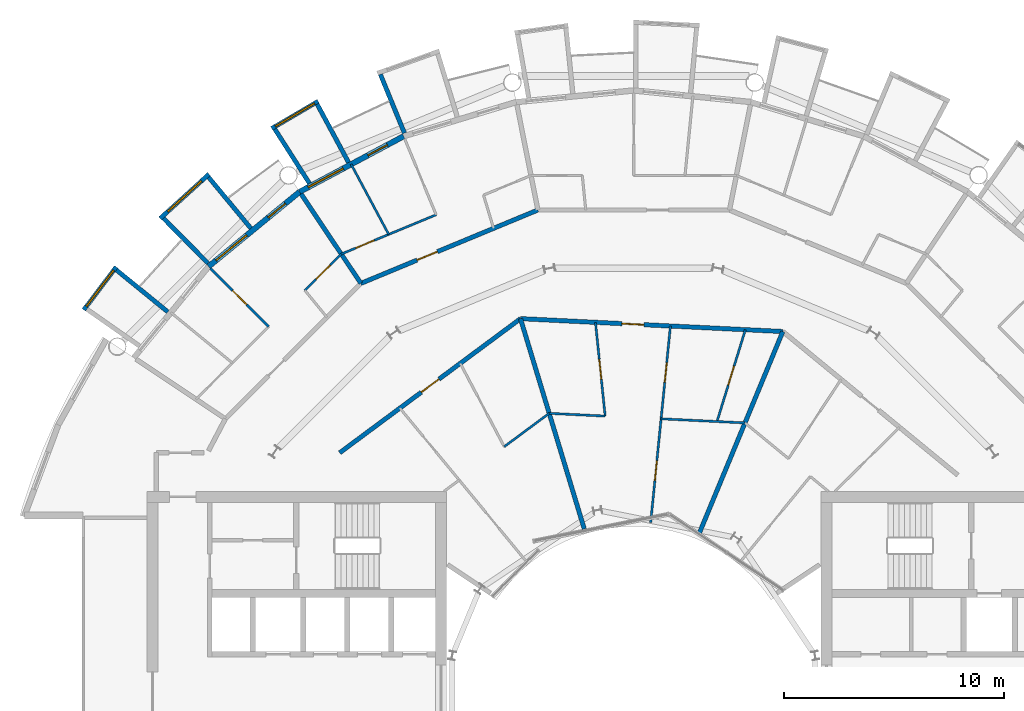
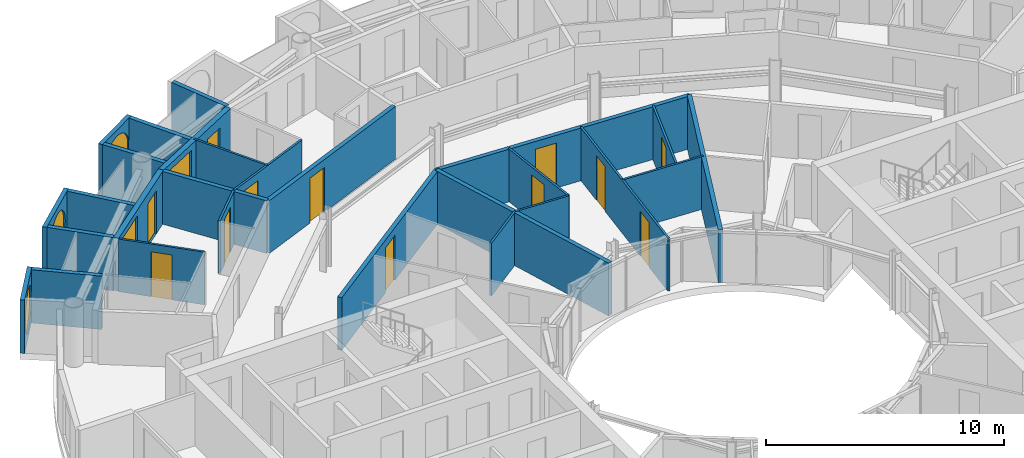
# One storey, part 20 of 27: 27 walls, 12 doors, 5 windows, 17 openings.
"""IFC4 building model written with IfcOpenShell, lengths in metres."""

from ifc_helpers import new_model, si_unit, direction, frame, frame_2d, origin, place, context, subcontext, project, spatial, rectangle, circle, extrude, material, layer, layer_set, type_object, element, fill, save


model = new_model("IFC4")

# Units and contexts
model_context = context("Model", 3, precision=1e-05, world=origin(), true_north=direction((0.0, 1.0)))
body_context = subcontext(model_context, "Body", "Model", "MODEL_VIEW")
ifc_project = project(units=[si_unit("LENGTHUNIT", "METRE"), si_unit("AREAUNIT", "SQUARE_METRE"), si_unit("VOLUMEUNIT", "CUBIC_METRE"), si_unit("PLANEANGLEUNIT", "RADIAN"), si_unit("MASSUNIT", "GRAM", prefix="KILO")], contexts=[model_context])

# Site, building, storey
site_placement = place(None, origin())
site = spatial("IfcSite", under=ifc_project, at=site_placement, CompositionType="ELEMENT")
building_placement = place(site_placement, origin())
building = spatial("IfcBuilding", under=site, at=building_placement, Name="Maasbend Ring Residences", CompositionType="ELEMENT")
storey_placement = place(building_placement, frame((0.0, 0.0, 170.75)))
storey = spatial("IfcBuildingStorey", under=building, at=storey_placement, Name="L49", CompositionType="ELEMENT", Elevation=170.75)

# Wall, opening, door
ifc_material_1 = material(Name="Concrete C30/37", Category="concrete")
ifc_layer_1 = layer(ifc_material_1, 0.199951171875)
ifc_layer_set_1 = layer_set([ifc_layer_1], Name="Concrete C30/37")
wall_type_1 = type_object("IfcWallType", Name="CORRIDOR WALL 200 CONCRETE", PredefinedType="PARTITIONING", material=ifc_layer_set_1)
wall_1_placement = place(storey_placement, frame((-13.34912109375, 10.847900390625, 0.0), z_axis=(0.0, 0.0, 1.0), x_axis=(0.803229232922, 0.595670042371, 0.0)))
wall_1 = element("IfcWall", 1, at=wall_1_placement, inside=storey, type_object=wall_type_1, Name="U-L49-w104", PredefinedType="PARTITIONING", context=body_context, shape_type="SweptSolid", body=[
    extrude(rectangle(XDim=10.223876953125, YDim=0.199951171875, at=frame_2d((5.11181640625, 0.0))), origin(), (0.0, 0.0, 1.0), 2.699951171875),
])
opening_1_placement = place(wall_1_placement, frame((4.612060546875, 0.0, 0.0)))
opening_1 = element("IfcOpeningElement", 2, at=opening_1_placement, cuts=wall_1, Name="Opening D-4930", PredefinedType="OPENING", context=body_context, shape_type="SweptSolid", body=[
    extrude(rectangle(XDim=1.0, YDim=2.300048828125, at=frame_2d((0.5, 1.14990234375))), frame((0.0, 0.10986328125, 0.0), z_axis=(0.0, -1.0, 0.0), x_axis=(1.0, 0.0, 0.0)), (0.0, 0.0, 1.0), 0.219970703125),
])
ifc_material_2 = material(Name="Timber, fire-rated, painted", Category="wood")
door_type_1 = type_object("IfcDoorType", Name="FLAT ENTRANCE DOOR 1000 X 2300 FIRE-RATED", OperationType="NOTDEFINED", PredefinedType="DOOR", material=ifc_material_2)
door_1_placement = place(opening_1_placement, origin())
door_1 = element("IfcDoor", 3, at=door_1_placement, inside=storey, type_object=door_type_1, Name="D-4930", OperationType="SINGLE_SWING_LEFT", OverallHeight=2.300048828125, OverallWidth=1.0, PredefinedType="DOOR", context=body_context, shape_type="SweptSolid", body=[
    extrude(rectangle(XDim=1.0, YDim=2.300048828125, at=frame_2d((0.5, 1.14990234375))), frame((0.0, 0.02490234375, 0.0), z_axis=(0.0, -1.0, 0.0), x_axis=(1.0, 0.0, 0.0)), (0.0, 0.0, 1.0), 0.050048828125),
])
fill(opening_1, door_1)

wall_2_placement = place(storey_placement, frame((-5.136962890625, 16.93798828125, 0.0), z_axis=(0.0, 0.0, 1.0), x_axis=(0.99879704719, -0.04903527836, 0.0)))
wall_2 = element("IfcWall", 4, at=wall_2_placement, inside=storey, type_object=wall_type_1, Name="U-L49-w105", PredefinedType="PARTITIONING", context=body_context, shape_type="SweptSolid", body=[
    extrude(rectangle(XDim=11.929443359375, YDim=0.199951171875, at=frame_2d((5.96484375, 0.0))), origin(), (0.0, 0.0, 1.0), 2.699951171875),
])
opening_2_placement = place(wall_2_placement, frame((4.60791015625, 0.0, 0.0)))
opening_2 = element("IfcOpeningElement", 5, at=opening_2_placement, cuts=wall_2, Name="Opening D-4925", PredefinedType="OPENING", context=body_context, shape_type="SweptSolid", body=[
    extrude(rectangle(XDim=1.0, YDim=2.300048828125, at=frame_2d((0.5, 1.14990234375))), frame((0.0, 0.10986328125, 0.0), z_axis=(0.0, -1.0, 0.0), x_axis=(1.0, 0.0, 0.0)), (0.0, 0.0, 1.0), 0.219970703125),
])
door_2_placement = place(opening_2_placement, origin())
door_2 = element("IfcDoor", 6, at=door_2_placement, inside=storey, type_object=door_type_1, Name="D-4925", OperationType="SINGLE_SWING_LEFT", OverallHeight=2.300048828125, OverallWidth=1.0, PredefinedType="DOOR", context=body_context, shape_type="SweptSolid", body=[
    extrude(rectangle(XDim=1.0, YDim=2.300048828125, at=frame_2d((0.5, 1.14990234375))), frame((0.0, 0.02490234375, 0.0), z_axis=(0.0, -1.0, 0.0), x_axis=(1.0, 0.0, 0.0)), (0.0, 0.0, 1.0), 0.050048828125),
])
fill(opening_2, door_2)

wall_3_placement = place(storey_placement, frame((-12.39599609375, 18.535888671875, 0.0), z_axis=(0.0, 0.0, 1.0), x_axis=(0.923722518166, 0.383062278792, 0.0)))
wall_3 = element("IfcWall", 7, at=wall_3_placement, inside=storey, type_object=wall_type_1, Name="U-L49-w110", PredefinedType="PARTITIONING", context=body_context, shape_type="SweptSolid", body=[
    extrude(rectangle(XDim=8.709228515625, YDim=0.199951171875, at=frame_2d((4.3544921875, 0.0))), origin(), (0.0, 0.0, 1.0), 2.699951171875),
])
opening_3_placement = place(wall_3_placement, frame((2.77197265625, 0.0, 0.0)))
opening_3 = element("IfcOpeningElement", 8, at=opening_3_placement, cuts=wall_3, Name="Opening D-4913", PredefinedType="OPENING", context=body_context, shape_type="SweptSolid", body=[
    extrude(rectangle(XDim=1.0, YDim=2.300048828125, at=frame_2d((0.5, 1.14990234375))), frame((0.0, 0.10986328125, 0.0), z_axis=(0.0, -1.0, 0.0), x_axis=(1.0, 0.0, 0.0)), (0.0, 0.0, 1.0), 0.219970703125),
])
door_3_placement = place(opening_3_placement, origin())
door_3 = element("IfcDoor", 9, at=door_3_placement, inside=storey, type_object=door_type_1, Name="D-4913", OperationType="SINGLE_SWING_LEFT", OverallHeight=2.300048828125, OverallWidth=1.0, PredefinedType="DOOR", context=body_context, shape_type="SweptSolid", body=[
    extrude(rectangle(XDim=1.0, YDim=2.300048828125, at=frame_2d((0.5, 1.14990234375))), frame((0.0, 0.02490234375, 0.0), z_axis=(0.0, -1.0, 0.0), x_axis=(1.0, 0.0, 0.0)), (0.0, 0.0, 1.0), 0.050048828125),
])
fill(opening_3, door_3)

# Wall
ifc_material_3 = material(Name="Pale anodised aluminium panel", Category="aluminium")
ifc_layer_2 = layer(ifc_material_3, 0.199951171875)
ifc_layer_set_2 = layer_set([ifc_layer_2], Name="EW-BOX")
wall_type_2 = type_object("IfcWallType", Name="EW-BOX", PredefinedType="SOLIDWALL", material=ifc_layer_set_2)
wall_4_placement = place(storey_placement, frame((-10.408935546875, 25.364013671875, -0.030029296875), z_axis=(0.0, 0.0, 1.0), x_axis=(-0.379509886562, 0.925187681501, 0.0)))
element("IfcWall", 10, at=wall_4_placement, inside=storey, type_object=wall_type_2, Name="Box side wall N14 right", PredefinedType="SOLIDWALL", context=body_context, shape_type="SweptSolid", body=[
    extrude(rectangle(XDim=2.882568359375, YDim=0.199951171875, at=frame_2d((1.44140625, 0.0))), origin(), (0.0, 0.0, 1.0), 2.72998046875),
])

# Wall, opening, window
wall_5_placement = place(storey_placement, frame((-14.326904296875, 26.81201171875, -0.030029296875), z_axis=(0.0, 0.0, 1.0), x_axis=(-0.862403467503, -0.506221551535, 0.0)))
wall_5 = element("IfcWall", 11, at=wall_5_placement, inside=storey, type_object=wall_type_2, Name="Box front N16", PredefinedType="SOLIDWALL", context=body_context, shape_type="SweptSolid", body=[
    extrude(rectangle(XDim=2.445556640625, YDim=0.199951171875, at=frame_2d((1.22265625, 0.0))), origin(), (0.0, 0.0, 1.0), 2.72998046875),
])
opening_4_placement = place(wall_5_placement, frame((0.182861328125, 0.0, 0.330078125)))
opening_4 = element("IfcOpeningElement", 12, at=opening_4_placement, cuts=wall_5, Name="Opening W-RD", PredefinedType="OPENING", context=body_context, shape_type="SweptSolid", body=[
    extrude(circle(Radius=1.0400390625, at=frame_2d((1.0400390625, 1.0400390625))), frame((0.0, 0.10986328125, 0.0), z_axis=(0.0, -1.0, 0.0), x_axis=(1.0, 0.0, 0.0)), (0.0, 0.0, 1.0), 0.219970703125),
])
ifc_material_4 = material(Name="Aluminium and clear glass", Category="aluminium")
window_type_1 = type_object("IfcWindowType", Name="W-RD", PartitioningType="SINGLE_PANEL", PredefinedType="WINDOW", material=ifc_material_4)
window_1_placement = place(opening_4_placement, origin())
window_1 = element("IfcWindow", 13, at=window_1_placement, inside=storey, type_object=window_type_1, Name="Round window N16", OverallHeight=2.080078125, OverallWidth=2.080078125, PartitioningType="SINGLE_PANEL", PredefinedType="WINDOW", context=body_context, shape_type="SweptSolid", body=[
    extrude(circle(Radius=1.0400390625, at=frame_2d((1.0400390625, 1.0400390625))), frame((0.0, 0.030029296875, 0.0), z_axis=(0.0, -1.0, 0.0), x_axis=(1.0, 0.0, 0.0)), (0.0, 0.0, 1.0), 0.06005859375),
])
fill(opening_4, window_1)

# Walls
wall_6_placement = place(storey_placement, frame((-12.945068359375, 24.029052734375, -0.030029296875), z_axis=(0.0, 0.0, 1.0), x_axis=(-0.474424310775, 0.88029629861, 0.0)))
element("IfcWall", 14, at=wall_6_placement, inside=storey, type_object=wall_type_2, Name="Box side wall N16 left", PredefinedType="SOLIDWALL", context=body_context, shape_type="SweptSolid", body=[
    extrude(rectangle(XDim=3.005859375, YDim=0.199951171875, at=frame_2d((1.5029296875, 0.0))), origin(), (0.0, 0.0, 1.0), 2.72998046875),
])
wall_7_placement = place(storey_placement, frame((-14.721923828125, 23.0791015625, -0.030029296875), z_axis=(0.0, 0.0, 1.0), x_axis=(-0.537572179146, 0.843217737129, 0.0)))
element("IfcWall", 15, at=wall_7_placement, inside=storey, type_object=wall_type_2, Name="Box side wall N16 right", PredefinedType="SOLIDWALL", context=body_context, shape_type="SweptSolid", body=[
    extrude(rectangle(XDim=2.92431640625, YDim=0.199951171875, at=frame_2d((1.462158203125, 0.0))), origin(), (0.0, 0.0, 1.0), 2.72998046875),
])

# Wall, opening, window
wall_8_placement = place(storey_placement, frame((-19.281982421875, 23.5029296875, -0.030029296875), z_axis=(0.0, 0.0, 1.0), x_axis=(-0.740998365753, -0.671506829416, 0.0)))
wall_8 = element("IfcWall", 16, at=wall_8_placement, inside=storey, type_object=wall_type_2, Name="Box front N18", PredefinedType="SOLIDWALL", context=body_context, shape_type="SweptSolid", body=[
    extrude(rectangle(XDim=2.9931640625, YDim=0.199951171875, at=frame_2d((1.49658203125, 0.0))), origin(), (0.0, 0.0, 1.0), 2.72998046875),
])
opening_5_placement = place(wall_8_placement, frame((0.45654296875, 0.0, 0.330078125)))
opening_5 = element("IfcOpeningElement", 17, at=opening_5_placement, cuts=wall_8, Name="Opening W-RD", PredefinedType="OPENING", context=body_context, shape_type="SweptSolid", body=[
    extrude(circle(Radius=1.0400390625, at=frame_2d((1.0400390625, 1.0400390625))), frame((0.0, 0.10986328125, 0.0), z_axis=(0.0, -1.0, 0.0), x_axis=(1.0, 0.0, 0.0)), (0.0, 0.0, 1.0), 0.219970703125),
])
window_2_placement = place(opening_5_placement, origin())
window_2 = element("IfcWindow", 18, at=window_2_placement, inside=storey, type_object=window_type_1, Name="Round window N18", OverallHeight=2.080078125, OverallWidth=2.080078125, PartitioningType="SINGLE_PANEL", PredefinedType="WINDOW", context=body_context, shape_type="SweptSolid", body=[
    extrude(circle(Radius=1.0400390625, at=frame_2d((1.0400390625, 1.0400390625))), frame((0.0, 0.030029296875, 0.0), z_axis=(0.0, -1.0, 0.0), x_axis=(1.0, 0.0, 0.0)), (0.0, 0.0, 1.0), 0.06005859375),
])
fill(opening_5, window_2)

# Walls
wall_9_placement = place(storey_placement, frame((-17.384033203125, 21.041015625, -0.030029296875), z_axis=(0.0, 0.0, 1.0), x_axis=(-0.63709551667, 0.770784861449, 0.0)))
element("IfcWall", 19, at=wall_9_placement, inside=storey, type_object=wall_type_2, Name="Box side wall N18 left", PredefinedType="SOLIDWALL", context=body_context, shape_type="SweptSolid", body=[
    extrude(rectangle(XDim=3.005859375, YDim=0.199951171875, at=frame_2d((1.5029296875, 0.0))), origin(), (0.0, 0.0, 1.0), 2.72998046875),
])
wall_10_placement = place(storey_placement, frame((-19.322998046875, 19.449951171875, -0.030029296875), z_axis=(0.0, 0.0, 1.0), x_axis=(-0.704476739375, 0.709727076896, 0.0)))
element("IfcWall", 20, at=wall_10_placement, inside=storey, type_object=wall_type_2, Name="Box side wall N18 right", PredefinedType="SOLIDWALL", context=body_context, shape_type="SweptSolid", body=[
    extrude(rectangle(XDim=2.883056640625, YDim=0.199951171875, at=frame_2d((1.44140625, 0.0))), origin(), (0.0, 0.0, 1.0), 2.72998046875),
])

# Wall, opening, window
wall_11_placement = place(storey_placement, frame((-23.4970703125, 19.2890625, -0.030029296875), z_axis=(0.0, 0.0, 1.0), x_axis=(-0.602806268067, -0.797887588059, 0.0)))
wall_11 = element("IfcWall", 21, at=wall_11_placement, inside=storey, type_object=wall_type_2, Name="Box front N20", PredefinedType="SOLIDWALL", context=body_context, shape_type="SweptSolid", body=[
    extrude(rectangle(XDim=2.446533203125, YDim=0.199951171875, at=frame_2d((1.22314453125, 0.0))), origin(), (0.0, 0.0, 1.0), 2.72998046875),
])
opening_6_placement = place(wall_11_placement, frame((0.182861328125, 0.0, 0.330078125)))
opening_6 = element("IfcOpeningElement", 22, at=opening_6_placement, cuts=wall_11, Name="Opening W-RD", PredefinedType="OPENING", context=body_context, shape_type="SweptSolid", body=[
    extrude(circle(Radius=1.0400390625, at=frame_2d((1.0400390625, 1.0400390625))), frame((0.0, 0.10986328125, 0.0), z_axis=(0.0, -1.0, 0.0), x_axis=(1.0, 0.0, 0.0)), (0.0, 0.0, 1.0), 0.219970703125),
])
window_3_placement = place(opening_6_placement, origin())
window_3 = element("IfcWindow", 23, at=window_3_placement, inside=storey, type_object=window_type_1, Name="Round window N20", OverallHeight=2.080078125, OverallWidth=2.080078125, PartitioningType="SINGLE_PANEL", PredefinedType="WINDOW", context=body_context, shape_type="SweptSolid", body=[
    extrude(circle(Radius=1.0400390625, at=frame_2d((1.0400390625, 1.0400390625))), frame((0.0, 0.030029296875, 0.0), z_axis=(0.0, -1.0, 0.0), x_axis=(1.0, 0.0, 0.0)), (0.0, 0.0, 1.0), 0.06005859375),
])
fill(opening_6, window_3)

# Wall
wall_12_placement = place(storey_placement, frame((-21.155029296875, 17.24609375, -0.030029296875), z_axis=(0.0, 0.0, 1.0), x_axis=(-0.775179004516, 0.631741648902, 0.0)))
element("IfcWall", 24, at=wall_12_placement, inside=storey, type_object=wall_type_2, Name="Box side wall N20 left", PredefinedType="SOLIDWALL", context=body_context, shape_type="SweptSolid", body=[
    extrude(rectangle(XDim=3.005859375, YDim=0.199951171875, at=frame_2d((1.5029296875, 0.0))), origin(), (0.0, 0.0, 1.0), 2.72998046875),
])

# Wall, openings, door, window
ifc_material_5 = material(Name="Aluminium clad insulated panel", Category="aluminium")
ifc_layer_3 = layer(ifc_material_5, 0.25)
ifc_layer_set_3 = layer_set([ifc_layer_3], Name="EW-GL")
wall_type_3 = type_object("IfcWallType", Name="EW-GL", PredefinedType="SOLIDWALL", material=ifc_layer_set_3)
wall_13_placement = place(storey_placement, frame((-10.447021484375, 25.221923828125, 0.0), z_axis=(0.0, 0.0, 1.0), x_axis=(-0.881915646801, -0.471407246368, 0.0)))
wall_13 = element("IfcWall", 25, at=wall_13_placement, inside=storey, type_object=wall_type_3, Name="External wall N08", PredefinedType="SOLIDWALL", context=body_context, shape_type="SweptSolid", body=[
    extrude(rectangle(XDim=5.35205078125, YDim=0.25, at=frame_2d((2.676025390625, 0.0))), origin(), (0.0, 0.0, 1.0), 2.699951171875),
])
opening_7_placement = place(wall_13_placement, frame((0.841064453125, 0.0, 0.0)))
opening_7 = element("IfcOpeningElement", 26, at=opening_7_placement, cuts=wall_13, Name="Opening D-LG", PredefinedType="OPENING", context=body_context, shape_type="SweptSolid", body=[
    extrude(rectangle(XDim=1.0, YDim=2.199951171875, at=frame_2d((0.5, 1.10009765625))), frame((0.0, 0.135009765625, 0.0), z_axis=(0.0, -1.0, 0.0), x_axis=(1.0, 0.0, 0.0)), (0.0, 0.0, 1.0), 0.27001953125),
])
opening_8_placement = place(wall_13_placement, frame((3.110595703125, 0.0, 0.300048828125)))
opening_8 = element("IfcOpeningElement", 27, at=opening_8_placement, cuts=wall_13, Name="Opening W-BX", PredefinedType="OPENING", context=body_context, shape_type="SweptSolid", body=[
    extrude(rectangle(XDim=1.800048828125, YDim=2.10009765625, at=frame_2d((0.89990234375, 1.050048828125))), frame((0.0, 0.135009765625, 0.0), z_axis=(0.0, -1.0, 0.0), x_axis=(1.0, 0.0, 0.0)), (0.0, 0.0, 1.0), 0.27001953125),
])
ifc_material_6 = material(Name="Aluminium and clear glass", Category="aluminium")
door_type_2 = type_object("IfcDoorType", Name="D-LG", OperationType="SINGLE_SWING_LEFT", PredefinedType="DOOR", material=ifc_material_6)
door_4_placement = place(opening_7_placement, origin())
door_4 = element("IfcDoor", 28, at=door_4_placement, inside=storey, type_object=door_type_2, Name="Loggia door N15", OperationType="SINGLE_SWING_LEFT", OverallHeight=2.199951171875, OverallWidth=1.0, PredefinedType="DOOR", context=body_context, shape_type="SweptSolid", body=[
    extrude(rectangle(XDim=1.0, YDim=2.199951171875, at=frame_2d((0.5, 1.10009765625))), frame((0.0, 0.02490234375, 0.0), z_axis=(0.0, -1.0, 0.0), x_axis=(1.0, 0.0, 0.0)), (0.0, 0.0, 1.0), 0.050048828125),
])
fill(opening_7, door_4)
ifc_material_7 = material(Name="Aluminium and clear glass", Category="aluminium")
window_type_2 = type_object("IfcWindowType", Name="W-BX", PartitioningType="DOUBLE_PANEL_VERTICAL", PredefinedType="WINDOW", material=ifc_material_7)
window_4_placement = place(opening_8_placement, origin())
window_4 = element("IfcWindow", 29, at=window_4_placement, inside=storey, type_object=window_type_2, Name="Window N16 room to box", OverallHeight=2.10009765625, OverallWidth=1.800048828125, PartitioningType="SINGLE_PANEL", PredefinedType="WINDOW", context=body_context, shape_type="SweptSolid", body=[
    extrude(rectangle(XDim=1.800048828125, YDim=2.10009765625, at=frame_2d((0.89990234375, 1.050048828125))), frame((0.0, 0.030029296875, 0.0), z_axis=(0.0, -1.0, 0.0), x_axis=(1.0, 0.0, 0.0)), (0.0, 0.0, 1.0), 0.06005859375),
])
fill(opening_8, window_4)

wall_14_placement = place(storey_placement, frame((-15.1669921875, 22.698974609375, 0.0), z_axis=(0.0, 0.0, 1.0), x_axis=(-0.773019449054, -0.634382322723, 0.0)))
wall_14 = element("IfcWall", 30, at=wall_14_placement, inside=storey, type_object=wall_type_3, Name="External wall N09", PredefinedType="SOLIDWALL", context=body_context, shape_type="SweptSolid", body=[
    extrude(rectangle(XDim=5.351806640625, YDim=0.25, at=frame_2d((2.67578125, 0.0))), origin(), (0.0, 0.0, 1.0), 2.699951171875),
])
opening_9_placement = place(wall_14_placement, frame((0.841064453125, 0.0, 0.0)))
opening_9 = element("IfcOpeningElement", 31, at=opening_9_placement, cuts=wall_14, Name="Opening D-LG", PredefinedType="OPENING", context=body_context, shape_type="SweptSolid", body=[
    extrude(rectangle(XDim=1.0, YDim=2.199951171875, at=frame_2d((0.5, 1.10009765625))), frame((0.0, 0.135009765625, 0.0), z_axis=(0.0, -1.0, 0.0), x_axis=(1.0, 0.0, 0.0)), (0.0, 0.0, 1.0), 0.27001953125),
])
opening_10_placement = place(wall_14_placement, frame((3.110595703125, 0.0, 0.300048828125)))
opening_10 = element("IfcOpeningElement", 32, at=opening_10_placement, cuts=wall_14, Name="Opening W-BX", PredefinedType="OPENING", context=body_context, shape_type="SweptSolid", body=[
    extrude(rectangle(XDim=1.800048828125, YDim=2.10009765625, at=frame_2d((0.89990234375, 1.050048828125))), frame((0.0, 0.135009765625, 0.0), z_axis=(0.0, -1.0, 0.0), x_axis=(1.0, 0.0, 0.0)), (0.0, 0.0, 1.0), 0.27001953125),
])
door_5_placement = place(opening_9_placement, origin())
door_5 = element("IfcDoor", 33, at=door_5_placement, inside=storey, type_object=door_type_2, Name="Loggia door N17", OperationType="SINGLE_SWING_LEFT", OverallHeight=2.199951171875, OverallWidth=1.0, PredefinedType="DOOR", context=body_context, shape_type="SweptSolid", body=[
    extrude(rectangle(XDim=1.0, YDim=2.199951171875, at=frame_2d((0.5, 1.10009765625))), frame((0.0, 0.02490234375, 0.0), z_axis=(0.0, -1.0, 0.0), x_axis=(1.0, 0.0, 0.0)), (0.0, 0.0, 1.0), 0.050048828125),
])
fill(opening_9, door_5)
window_5_placement = place(opening_10_placement, origin())
window_5 = element("IfcWindow", 34, at=window_5_placement, inside=storey, type_object=window_type_2, Name="Window N18 room to box", OverallHeight=2.10009765625, OverallWidth=1.800048828125, PartitioningType="SINGLE_PANEL", PredefinedType="WINDOW", context=body_context, shape_type="SweptSolid", body=[
    extrude(rectangle(XDim=1.800048828125, YDim=2.10009765625, at=frame_2d((0.89990234375, 1.050048828125))), frame((0.0, 0.030029296875, 0.0), z_axis=(0.0, -1.0, 0.0), x_axis=(1.0, 0.0, 0.0)), (0.0, 0.0, 1.0), 0.06005859375),
])
fill(opening_10, window_5)

# Wall, opening, door
ifc_material_8 = material(Name="Gypsum board on steel studs", Category="steel")
ifc_layer_4 = layer(ifc_material_8, 0.10009765625)
ifc_layer_set_4 = layer_set([ifc_layer_4], Name="PARTITION 100 GYPSUM")
wall_type_4 = type_object("IfcWallType", Name="PARTITION 100 GYPSUM", PredefinedType="PARTITIONING", material=ifc_layer_set_4)
wall_15_placement = place(storey_placement, frame((-19.216064453125, 19.216064453125, 0.0), z_axis=(0.0, 0.0, 1.0), x_axis=(0.707106781187, -0.707106781187, 0.0)))
wall_15 = element("IfcWall", 35, at=wall_15_placement, inside=storey, type_object=wall_type_4, Name="U-L49-w039", PredefinedType="PARTITIONING", context=body_context, shape_type="SweptSolid", body=[
    extrude(rectangle(XDim=3.735107421875, YDim=0.10009765625, at=frame_2d((1.86767578125, 0.0))), origin(), (0.0, 0.0, 1.0), 2.699951171875),
])
opening_11_placement = place(wall_15_placement, frame((1.4169921875, 0.0, 0.0)))
opening_11 = element("IfcOpeningElement", 36, at=opening_11_placement, cuts=wall_15, Name="Opening D-4919", PredefinedType="OPENING", context=body_context, shape_type="SweptSolid", body=[
    extrude(rectangle(XDim=0.89990234375, YDim=2.300048828125, at=frame_2d((0.449951171875, 1.14990234375))), frame((0.0, 0.06005859375, 0.0), z_axis=(0.0, -1.0, 0.0), x_axis=(1.0, 0.0, 0.0)), (0.0, 0.0, 1.0), 0.1201171875),
])
ifc_material_9 = material(Name="Timber, painted", Category="wood")
door_type_3 = type_object("IfcDoorType", Name="INTERNAL DOOR 900 X 2300", OperationType="NOTDEFINED", PredefinedType="DOOR", material=ifc_material_9)
door_6_placement = place(opening_11_placement, origin())
door_6 = element("IfcDoor", 37, at=door_6_placement, inside=storey, type_object=door_type_3, Name="D-4919", OperationType="SINGLE_SWING_LEFT", OverallHeight=2.300048828125, OverallWidth=0.89990234375, PredefinedType="DOOR", context=body_context, shape_type="SweptSolid", body=[
    extrude(rectangle(XDim=0.89990234375, YDim=2.300048828125, at=frame_2d((0.449951171875, 1.14990234375))), frame((0.0, 0.02490234375, 0.0), z_axis=(0.0, -1.0, 0.0), x_axis=(1.0, 0.0, 0.0)), (0.0, 0.0, 1.0), 0.050048828125),
])
fill(opening_11, door_6)

# Wall
wall_16_placement = place(storey_placement, frame((-12.8330078125, 23.9541015625, 0.0), z_axis=(0.0, 0.0, 1.0), x_axis=(0.472212052488, -0.881484984265, 0.0)))
element("IfcWall", 38, at=wall_16_placement, inside=storey, type_object=wall_type_4, Name="U-L49-w046", PredefinedType="PARTITIONING", context=body_context, shape_type="SweptSolid", body=[
    extrude(rectangle(XDim=3.619140625, YDim=0.10009765625, at=frame_2d((1.8095703125, 0.0))), origin(), (0.0, 0.0, 1.0), 2.699951171875),
])

# Wall, opening, door
wall_17_placement = place(storey_placement, frame((-1.735107421875, 16.77099609375, 0.0), z_axis=(0.0, 0.0, 1.0), x_axis=(0.102875790791, -0.994694210131, 0.0)))
wall_17 = element("IfcWall", 39, at=wall_17_placement, inside=storey, type_object=wall_type_4, Name="U-L49-w061", PredefinedType="PARTITIONING", context=body_context, shape_type="SweptSolid", body=[
    extrude(rectangle(XDim=4.27880859375, YDim=0.10009765625, at=frame_2d((2.139404296875, 0.0))), origin(), (0.0, 0.0, 1.0), 2.699951171875),
])
opening_12_placement = place(wall_17_placement, frame((1.68896484375, 0.0, 0.0)))
opening_12 = element("IfcOpeningElement", 40, at=opening_12_placement, cuts=wall_17, Name="Opening D-4926", PredefinedType="OPENING", context=body_context, shape_type="SweptSolid", body=[
    extrude(rectangle(XDim=0.89990234375, YDim=2.300048828125, at=frame_2d((0.449951171875, 1.14990234375))), frame((0.0, 0.06005859375, 0.0), z_axis=(0.0, -1.0, 0.0), x_axis=(1.0, 0.0, 0.0)), (0.0, 0.0, 1.0), 0.1201171875),
])
door_7_placement = place(opening_12_placement, origin())
door_7 = element("IfcDoor", 41, at=door_7_placement, inside=storey, type_object=door_type_3, Name="D-4926", OperationType="SINGLE_SWING_LEFT", OverallHeight=2.300048828125, OverallWidth=0.89990234375, PredefinedType="DOOR", context=body_context, shape_type="SweptSolid", body=[
    extrude(rectangle(XDim=0.89990234375, YDim=2.300048828125, at=frame_2d((0.449951171875, 1.14990234375))), frame((0.0, 0.02490234375, 0.0), z_axis=(0.0, -1.0, 0.0), x_axis=(1.0, 0.0, 0.0)), (0.0, 0.0, 1.0), 0.050048828125),
])
fill(opening_12, door_7)

# Wall, openings, doors
wall_18_placement = place(storey_placement, frame((0.77197265625, 7.680908203125, 0.0), z_axis=(0.0, 0.0, 1.0), x_axis=(0.100029361081, 0.994984485769, 0.0)))
wall_18 = element("IfcWall", 42, at=wall_18_placement, inside=storey, type_object=wall_type_4, Name="U-L49-w065", PredefinedType="PARTITIONING", context=body_context, shape_type="SweptSolid", body=[
    extrude(rectangle(XDim=8.967041015625, YDim=0.10009765625, at=frame_2d((4.4833984375, 0.0))), origin(), (0.0, 0.0, 1.0), 2.699951171875),
])
opening_13_placement = place(wall_18_placement, frame((6.39990234375, 0.0, 0.0)))
opening_13 = element("IfcOpeningElement", 43, at=opening_13_placement, cuts=wall_18, Name="Opening D-4927", PredefinedType="OPENING", context=body_context, shape_type="SweptSolid", body=[
    extrude(rectangle(XDim=0.89990234375, YDim=2.300048828125, at=frame_2d((0.449951171875, 1.14990234375))), frame((0.0, 0.06005859375, 0.0), z_axis=(0.0, -1.0, 0.0), x_axis=(1.0, 0.0, 0.0)), (0.0, 0.0, 1.0), 0.1201171875),
])
opening_14_placement = place(wall_18_placement, frame((1.9150390625, 0.0, 0.0)))
opening_14 = element("IfcOpeningElement", 44, at=opening_14_placement, cuts=wall_18, Name="Opening D-4929", PredefinedType="OPENING", context=body_context, shape_type="SweptSolid", body=[
    extrude(rectangle(XDim=0.89990234375, YDim=2.300048828125, at=frame_2d((0.449951171875, 1.14990234375))), frame((0.0, 0.06005859375, 0.0), z_axis=(0.0, -1.0, 0.0), x_axis=(1.0, 0.0, 0.0)), (0.0, 0.0, 1.0), 0.1201171875),
])
door_8_placement = place(opening_13_placement, origin())
door_8 = element("IfcDoor", 45, at=door_8_placement, inside=storey, type_object=door_type_3, Name="D-4927", OperationType="SINGLE_SWING_RIGHT", OverallHeight=2.300048828125, OverallWidth=0.89990234375, PredefinedType="DOOR", context=body_context, shape_type="SweptSolid", body=[
    extrude(rectangle(XDim=0.89990234375, YDim=2.300048828125, at=frame_2d((0.449951171875, 1.14990234375))), frame((0.0, 0.02490234375, 0.0), z_axis=(0.0, -1.0, 0.0), x_axis=(1.0, 0.0, 0.0)), (0.0, 0.0, 1.0), 0.050048828125),
])
fill(opening_13, door_8)
door_9_placement = place(opening_14_placement, origin())
door_9 = element("IfcDoor", 46, at=door_9_placement, inside=storey, type_object=door_type_3, Name="D-4929", OperationType="SINGLE_SWING_LEFT", OverallHeight=2.300048828125, OverallWidth=0.89990234375, PredefinedType="DOOR", context=body_context, shape_type="SweptSolid", body=[
    extrude(rectangle(XDim=0.89990234375, YDim=2.300048828125, at=frame_2d((0.449951171875, 1.14990234375))), frame((0.0, 0.02490234375, 0.0), z_axis=(0.0, -1.0, 0.0), x_axis=(1.0, 0.0, 0.0)), (0.0, 0.0, 1.0), 0.050048828125),
])
fill(opening_14, door_9)

# Wall, opening, door
wall_19_placement = place(storey_placement, frame((3.784912109375, 12.26611328125, 0.0), z_axis=(0.0, 0.0, 1.0), x_axis=(0.294934866503, 0.955517359612, 0.0)))
wall_19 = element("IfcWall", 47, at=wall_19_placement, inside=storey, type_object=wall_type_4, Name="U-L49-w071", PredefinedType="PARTITIONING", context=body_context, shape_type="SweptSolid", body=[
    extrude(rectangle(XDim=4.364013671875, YDim=0.10009765625, at=frame_2d((2.18212890625, 0.0))), origin(), (0.0, 0.0, 1.0), 2.699951171875),
])
opening_15_placement = place(wall_19_placement, frame((1.73193359375, 0.0, 0.0)))
opening_15 = element("IfcOpeningElement", 48, at=opening_15_placement, cuts=wall_19, Name="Opening D-4928", PredefinedType="OPENING", context=body_context, shape_type="SweptSolid", body=[
    extrude(rectangle(XDim=0.89990234375, YDim=2.300048828125, at=frame_2d((0.449951171875, 1.14990234375))), frame((0.0, 0.06005859375, 0.0), z_axis=(0.0, -1.0, 0.0), x_axis=(1.0, 0.0, 0.0)), (0.0, 0.0, 1.0), 0.1201171875),
])
door_10_placement = place(opening_15_placement, origin())
door_10 = element("IfcDoor", 49, at=door_10_placement, inside=storey, type_object=door_type_3, Name="D-4928", OperationType="SINGLE_SWING_LEFT", OverallHeight=2.300048828125, OverallWidth=0.89990234375, PredefinedType="DOOR", context=body_context, shape_type="SweptSolid", body=[
    extrude(rectangle(XDim=0.89990234375, YDim=2.300048828125, at=frame_2d((0.449951171875, 1.14990234375))), frame((0.0, 0.02490234375, 0.0), z_axis=(0.0, -1.0, 0.0), x_axis=(1.0, 0.0, 0.0)), (0.0, 0.0, 1.0), 0.050048828125),
])
fill(opening_15, door_10)

# Walls
wall_20_placement = place(storey_placement, frame((-5.876953125, 11.125, 0.0), z_axis=(0.0, 0.0, 1.0), x_axis=(0.803259509791, 0.595629213463, 0.0)))
element("IfcWall", 50, at=wall_20_placement, inside=storey, type_object=wall_type_4, Name="U-L49-w099", PredefinedType="PARTITIONING", context=body_context, shape_type="SweptSolid", body=[
    extrude(rectangle(XDim=2.54345703125, YDim=0.10009765625, at=frame_2d((1.271728515625, 0.0))), origin(), (0.0, 0.0, 1.0), 2.699951171875),
])
wall_21_placement = place(storey_placement, frame((-3.839111328125, 12.637939453125, 0.0), z_axis=(0.0, 0.0, 1.0), x_axis=(0.99880915717, -0.048787985754, 0.0)))
element("IfcWall", 51, at=wall_21_placement, inside=storey, type_object=wall_type_4, Name="U-L49-w100", PredefinedType="PARTITIONING", context=body_context, shape_type="SweptSolid", body=[
    extrude(rectangle(XDim=2.5419921875, YDim=0.10009765625, at=frame_2d((1.27099609375, 0.0))), origin(), (0.0, 0.0, 1.0), 2.699951171875),
])
wall_22_placement = place(storey_placement, frame((1.239990234375, 12.389892578125, 0.0), z_axis=(0.0, 0.0, 1.0), x_axis=(0.998816217325, -0.048643231882, 0.0)))
element("IfcWall", 52, at=wall_22_placement, inside=storey, type_object=wall_type_4, Name="U-L49-w101", PredefinedType="PARTITIONING", context=body_context, shape_type="SweptSolid", body=[
    extrude(rectangle(XDim=3.819580078125, YDim=0.10009765625, at=frame_2d((1.90966796875, 0.0))), origin(), (0.0, 0.0, 1.0), 2.699951171875),
])

# Wall, opening, door
wall_23_placement = place(storey_placement, frame((-14.931884765625, 18.218017578125, 0.0), z_axis=(0.0, 0.0, 1.0), x_axis=(0.707106781187, 0.707106781187, 0.0)))
wall_23 = element("IfcWall", 53, at=wall_23_placement, inside=storey, type_object=wall_type_4, Name="U-L49-w117", PredefinedType="PARTITIONING", context=body_context, shape_type="SweptSolid", body=[
    extrude(rectangle(XDim=2.33203125, YDim=0.10009765625, at=frame_2d((1.166015625, 0.0))), origin(), (0.0, 0.0, 1.0), 2.699951171875),
])
opening_16_placement = place(wall_23_placement, frame((0.722900390625, 0.0, 0.0)))
opening_16 = element("IfcOpeningElement", 54, at=opening_16_placement, cuts=wall_23, Name="Opening D-4918", PredefinedType="OPENING", context=body_context, shape_type="SweptSolid", body=[
    extrude(rectangle(XDim=0.89990234375, YDim=2.300048828125, at=frame_2d((0.449951171875, 1.14990234375))), frame((0.0, 0.06005859375, 0.0), z_axis=(0.0, -1.0, 0.0), x_axis=(1.0, 0.0, 0.0)), (0.0, 0.0, 1.0), 0.1201171875),
])
door_11_placement = place(opening_16_placement, origin())
door_11 = element("IfcDoor", 55, at=door_11_placement, inside=storey, type_object=door_type_3, Name="D-4918", OperationType="SINGLE_SWING_RIGHT", OverallHeight=2.300048828125, OverallWidth=0.89990234375, PredefinedType="DOOR", context=body_context, shape_type="SweptSolid", body=[
    extrude(rectangle(XDim=0.89990234375, YDim=2.300048828125, at=frame_2d((0.449951171875, 1.14990234375))), frame((0.0, 0.02490234375, 0.0), z_axis=(0.0, -1.0, 0.0), x_axis=(1.0, 0.0, 0.0)), (0.0, 0.0, 1.0), 0.050048828125),
])
fill(opening_16, door_11)

wall_24_placement = place(storey_placement, frame((-13.278076171875, 19.8720703125, 0.0), z_axis=(0.0, 0.0, 1.0), x_axis=(0.923920484476, 0.38258455061, 0.0)))
wall_24 = element("IfcWall", 56, at=wall_24_placement, inside=storey, type_object=wall_type_4, Name="U-L49-w118", PredefinedType="PARTITIONING", context=body_context, shape_type="SweptSolid", body=[
    extrude(rectangle(XDim=4.662841796875, YDim=0.10009765625, at=frame_2d((2.33154296875, 0.0))), origin(), (0.0, 0.0, 1.0), 2.699951171875),
])
opening_17_placement = place(wall_24_placement, frame((0.716064453125, 0.0, 0.0)))
opening_17 = element("IfcOpeningElement", 57, at=opening_17_placement, cuts=wall_24, Name="Opening D-4916", PredefinedType="OPENING", context=body_context, shape_type="SweptSolid", body=[
    extrude(rectangle(XDim=0.89990234375, YDim=2.300048828125, at=frame_2d((0.449951171875, 1.14990234375))), frame((0.0, 0.06005859375, 0.0), z_axis=(0.0, -1.0, 0.0), x_axis=(1.0, 0.0, 0.0)), (0.0, 0.0, 1.0), 0.1201171875),
])
door_12_placement = place(opening_17_placement, origin())
door_12 = element("IfcDoor", 58, at=door_12_placement, inside=storey, type_object=door_type_3, Name="D-4916", OperationType="SINGLE_SWING_LEFT", OverallHeight=2.300048828125, OverallWidth=0.89990234375, PredefinedType="DOOR", context=body_context, shape_type="SweptSolid", body=[
    extrude(rectangle(XDim=0.89990234375, YDim=2.300048828125, at=frame_2d((0.449951171875, 1.14990234375))), frame((0.0, 0.02490234375, 0.0), z_axis=(0.0, -1.0, 0.0), x_axis=(1.0, 0.0, 0.0)), (0.0, 0.0, 1.0), 0.050048828125),
])
fill(opening_17, door_12)

# Walls
ifc_material_10 = material(Name="Concrete C30/37", Category="concrete")
ifc_layer_5 = layer(ifc_material_10, 0.199951171875)
ifc_layer_set_5 = layer_set([ifc_layer_5], Name="Concrete C30/37")
wall_type_5 = type_object("IfcWallType", Name="PARTY WALL 200 CONCRETE", PredefinedType="PARTITIONING", material=ifc_layer_set_5)
wall_25_placement = place(storey_placement, frame((-15.097900390625, 22.594970703125, 0.0), z_axis=(0.0, 0.0, 1.0), x_axis=(0.55569370664, -0.831387096605, 0.0)))
element("IfcWall", 59, at=wall_25_placement, inside=storey, type_object=wall_type_5, Name="U-L49-w042", PredefinedType="PARTITIONING", context=body_context, shape_type="SweptSolid", body=[
    extrude(rectangle(XDim=4.875, YDim=0.199951171875, at=frame_2d((2.4375, 0.0))), origin(), (0.0, 0.0, 1.0), 2.699951171875),
])
wall_26_placement = place(storey_placement, frame((-5.139892578125, 16.93701171875, 0.0), z_axis=(0.0, 0.0, 1.0), x_axis=(0.290401199794, -0.956904981259, 0.0)))
element("IfcWall", 60, at=wall_26_placement, inside=storey, type_object=wall_type_5, Name="U-L49-w057", PredefinedType="PARTITIONING", context=body_context, shape_type="SweptSolid", body=[
    extrude(rectangle(XDim=9.97900390625, YDim=0.199951171875, at=frame_2d((4.989501953125, 0.0))), origin(), (0.0, 0.0, 1.0), 2.699951171875),
])
wall_27_placement = place(storey_placement, frame((2.9541015625, 7.132080078125, 0.0), z_axis=(0.0, 0.0, 1.0), x_axis=(0.382632652025, 0.923900564782, 0.0)))
element("IfcWall", 61, at=wall_27_placement, inside=storey, type_object=wall_type_5, Name="U-L49-w070", PredefinedType="PARTITIONING", context=body_context, shape_type="SweptSolid", body=[
    extrude(rectangle(XDim=9.98046875, YDim=0.199951171875, at=frame_2d((4.990234375, 0.0))), origin(), (0.0, 0.0, 1.0), 2.699951171875),
])

save(model, "model.ifc")
